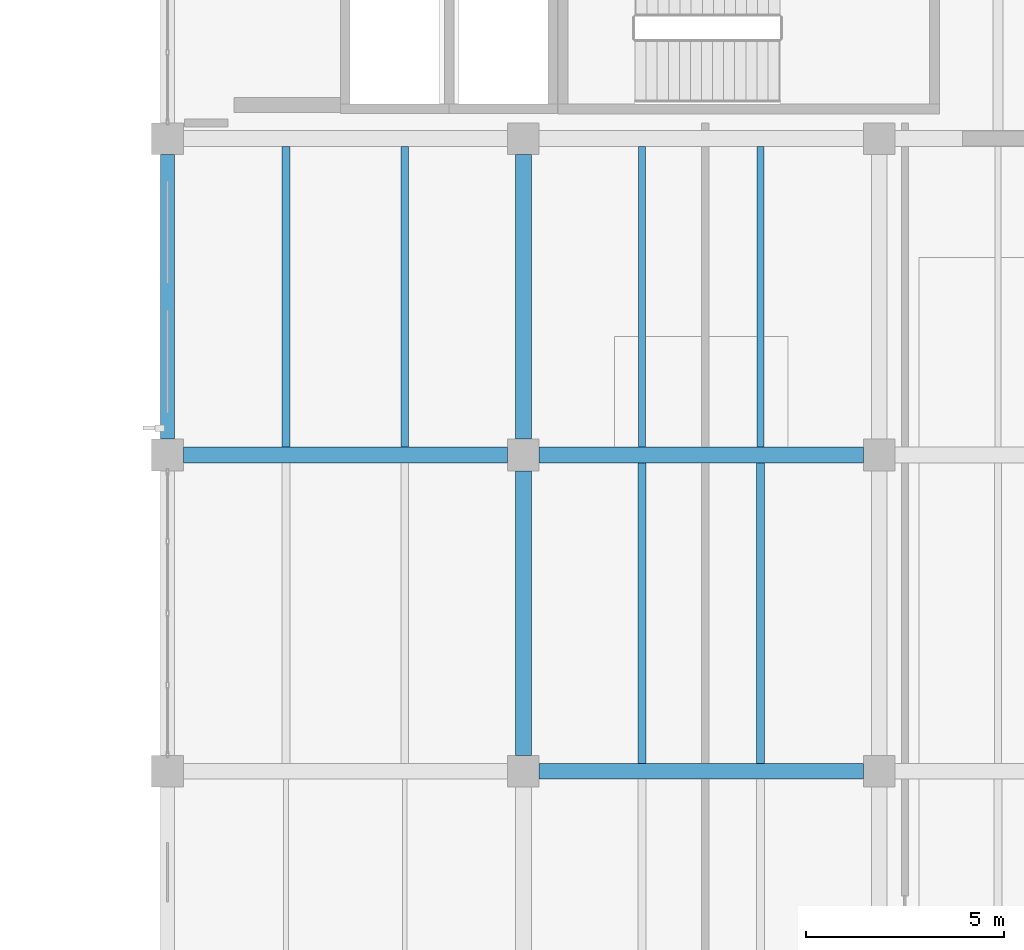
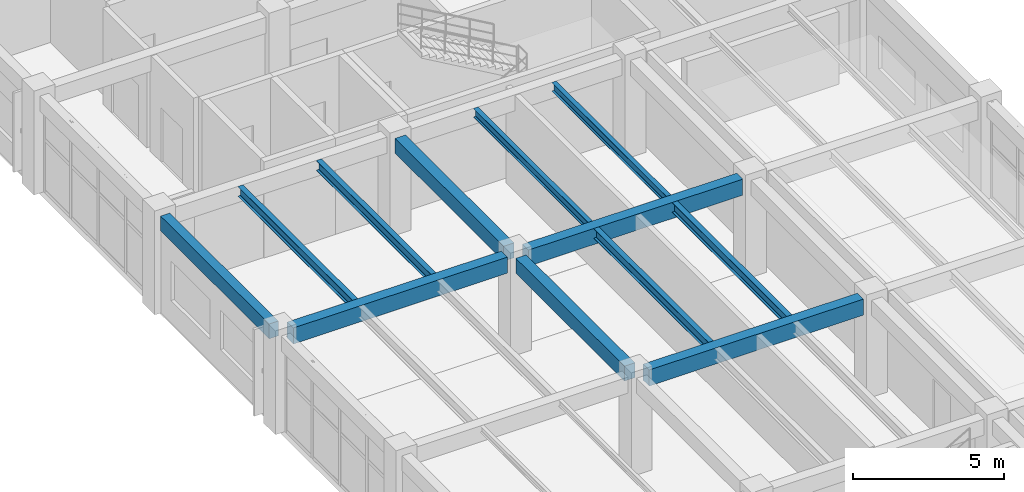
# One storey, part 95 of 148: 12 beams.
"""IFC4 building model written with IfcOpenShell, lengths in metres."""

from ifc_helpers import new_model, si_unit, derived_unit, direction, frame, origin, origin_2d, place, context, subcontext, project, spatial, rectangle, i_section, extrude, material, material_profile, profile_set, type_object, element, save


model = new_model("IFC4")

# Units and contexts
model_context = context("Model", 3, precision=1e-05, world=origin(), true_north=direction((0.0, 1.0)))
body_context = subcontext(model_context, "Body", "Model", "MODEL_VIEW")
ifc_project = project(units=[si_unit("LENGTHUNIT", "METRE"), si_unit("AREAUNIT", "SQUARE_METRE"), si_unit("VOLUMEUNIT", "CUBIC_METRE"), si_unit("PLANEANGLEUNIT", "RADIAN"), si_unit("MASSUNIT", "GRAM", prefix="KILO"), derived_unit("THERMALTRANSMITTANCEUNIT", [(si_unit("MASSUNIT", "GRAM", prefix="KILO"), 1), (si_unit("TIMEUNIT", "SECOND"), -3), (si_unit("THERMODYNAMICTEMPERATUREUNIT", "KELVIN"), -1)])], contexts=[model_context])

# Site, building, storey
site_placement = place(None, origin())
site = spatial("IfcSite", under=ifc_project, at=site_placement, CompositionType="ELEMENT")
building_placement = place(site_placement, origin())
building = spatial("IfcBuilding", under=site, at=building_placement, Name="Zhenchuan Archway Interchange", CompositionType="ELEMENT")
storey_placement = place(building_placement, frame((0.0, 0.0, 10.199951171875)))
storey = spatial("IfcBuildingStorey", under=building, at=storey_placement, Name="L02", CompositionType="ELEMENT", Elevation=10.199951171875)

# Beams
ifc_material_1 = material(Name="Concrete C40", Category="concrete")
ifc_material_profile_1 = material_profile(ifc_material_1, rectangle(XDim=0.39990234375, YDim=0.60009765625, at=origin_2d()), Name="RC 400x600")
ifc_profile_set_1 = profile_set([ifc_material_profile_1], Name="Concrete C40")
beam_type_1 = type_object("IfcBeamType", Name="BM_RC_400x600", PredefinedType="BEAM", material=ifc_profile_set_1)
for number, where, z_axis, x_axis, name in (
    (1, (153.0, 32.39990234375, 3.6201171875), (0.0, 1.0, 0.0), (-1.0, 0.0, 0.0), "Beam 18:E-F (L02)"),
    (2, (153.0, 40.39990234375, 3.6201171875), (0.0, 1.0, 0.0), (-1.0, 0.0, 0.0), "Beam 18:F-G (L02)"),
):
    element("IfcBeam", number, at=place(storey_placement, frame(where, z_axis=z_axis, x_axis=x_axis)), inside=storey, type_object=beam_type_1, Name=name, PredefinedType="BEAM", context=body_context, shape_type="SweptSolid", body=[
        extrude(rectangle(XDim=0.39990234375, YDim=0.60009765625, at=origin_2d()), origin(), (0.0, 0.0, 1.0), 7.2001953125),
    ])
ifc_material_profile_2 = material_profile(ifc_material_1, rectangle(XDim=0.39990234375, YDim=0.64990234375, at=origin_2d()), Name="RC 400x650")
ifc_profile_set_2 = profile_set([ifc_material_profile_2], Name="Concrete C40")
beam_type_2 = type_object("IfcBeamType", Name="BM_RC_400x650", PredefinedType="BEAM", material=ifc_profile_set_2)
for number, where, z_axis, x_axis, name in (
    (3, (153.39990234375, 32.0, 3.594970703125), (1.0, 0.0, 0.0), (0.0, 1.0, 0.0), "Beam E:18-19 (L02)"),
    (4, (144.39990234375, 40.0, 3.594970703125), (1.0, 0.0, 0.0), (0.0, 1.0, 0.0), "Beam F:17-18 (L02)"),
    (5, (153.39990234375, 40.0, 3.594970703125), (1.0, 0.0, 0.0), (0.0, 1.0, 0.0), "Beam F:18-19 (L02)"),
):
    element("IfcBeam", number, at=place(storey_placement, frame(where, z_axis=z_axis, x_axis=x_axis)), inside=storey, type_object=beam_type_2, Name=name, PredefinedType="BEAM", context=body_context, shape_type="SweptSolid", body=[
        extrude(rectangle(XDim=0.39990234375, YDim=0.64990234375, at=origin_2d()), origin(), (0.0, 0.0, 1.0), 8.2001953125),
    ])
ifc_material_2 = material(Name="Steel Q355", Category="steel")
ifc_material_profile_3 = material_profile(ifc_material_2, i_section(OverallWidth=0.175048828125, OverallDepth=0.35009765625, WebThickness=0.007080078125, FlangeThickness=0.010986328125, FilletRadius=0.013916015625, at=origin_2d()), Name="HN 350x175")
ifc_profile_set_3 = profile_set([ifc_material_profile_3], Name="Steel Q355")
beam_type_3 = type_object("IfcBeamType", Name="JST_STL_HN350", PredefinedType="JOIST", material=ifc_profile_set_3)
for number, where, z_axis, x_axis, name in (
    (6, (156.0, 40.199951171875, 3.7451171875), (0.0, 1.0, 0.0), (-1.0, 0.0, 0.0), "Secondary joist 18-19/F-G #1 (L02)"),
    (7, (159.0, 40.199951171875, 3.7451171875), (0.0, 1.0, 0.0), (-1.0, 0.0, 0.0), "Secondary joist 18-19/F-G #2 (L02)"),
):
    element("IfcBeam", number, at=place(storey_placement, frame(where, z_axis=z_axis, x_axis=x_axis)), inside=storey, type_object=beam_type_3, Name=name, PredefinedType="JOIST", context=body_context, shape_type="SweptSolid", body=[
        extrude(i_section(OverallWidth=0.175048828125, OverallDepth=0.35009765625, WebThickness=0.007080078125, FlangeThickness=0.010986328125, FilletRadius=0.013916015625, at=origin_2d()), origin(), (0.0, 0.0, 1.0), 7.60009765625),
    ])
ifc_material_profile_4 = material_profile(ifc_material_2, i_section(OverallWidth=0.199951171875, OverallDepth=0.39990234375, WebThickness=0.008056640625, FlangeThickness=0.012939453125, FilletRadius=0.01611328125, at=origin_2d()), Name="HN 400x200")
ifc_profile_set_4 = profile_set([ifc_material_profile_4], Name="Steel Q355")
beam_type_4 = type_object("IfcBeamType", Name="JST_STL_HN400", PredefinedType="JOIST", material=ifc_profile_set_4)
for number, where, z_axis, x_axis, name in (
    (8, (147.0, 40.199951171875, 3.719970703125), (0.0, 1.0, 0.0), (-1.0, 0.0, 0.0), "Secondary joist 17-18/F-G #1 (L02)"),
    (9, (150.0, 40.199951171875, 3.719970703125), (0.0, 1.0, 0.0), (-1.0, 0.0, 0.0), "Secondary joist 17-18/F-G #2 (L02)"),
    (10, (156.0, 32.199951171875, 3.719970703125), (0.0, 1.0, 0.0), (-1.0, 0.0, 0.0), "Secondary joist 18-19/E-F #1 (L02)"),
    (11, (159.0, 32.199951171875, 3.719970703125), (0.0, 1.0, 0.0), (-1.0, 0.0, 0.0), "Secondary joist 18-19/E-F #2 (L02)"),
):
    element("IfcBeam", number, at=place(storey_placement, frame(where, z_axis=z_axis, x_axis=x_axis)), inside=storey, type_object=beam_type_4, Name=name, PredefinedType="JOIST", context=body_context, shape_type="SweptSolid", body=[
        extrude(i_section(OverallWidth=0.199951171875, OverallDepth=0.39990234375, WebThickness=0.008056640625, FlangeThickness=0.012939453125, FilletRadius=0.01611328125, at=origin_2d()), origin(), (0.0, 0.0, 1.0), 7.60009765625),
    ])
ifc_material_profile_5 = material_profile(ifc_material_1, rectangle(XDim=0.35009765625, YDim=0.60009765625, at=origin_2d()), Name="RC 350x600")
ifc_profile_set_5 = profile_set([ifc_material_profile_5], Name="Concrete C40")
beam_type_5 = type_object("IfcBeamType", Name="SP_RC_350x600", PredefinedType="SPANDREL", material=ifc_profile_set_5)
beam_placement = place(storey_placement, frame((144.0, 40.39990234375, 3.6201171875), z_axis=(0.0, 1.0, 0.0), x_axis=(-1.0, 0.0, 0.0)))
element("IfcBeam", 12, at=beam_placement, inside=storey, type_object=beam_type_5, Name="Beam 17:F-G (L02)", PredefinedType="SPANDREL", context=body_context, shape_type="SweptSolid", body=[
    extrude(rectangle(XDim=0.35009765625, YDim=0.60009765625, at=origin_2d()), origin(), (0.0, 0.0, 1.0), 7.2001953125),
])

save(model, "model.ifc")
